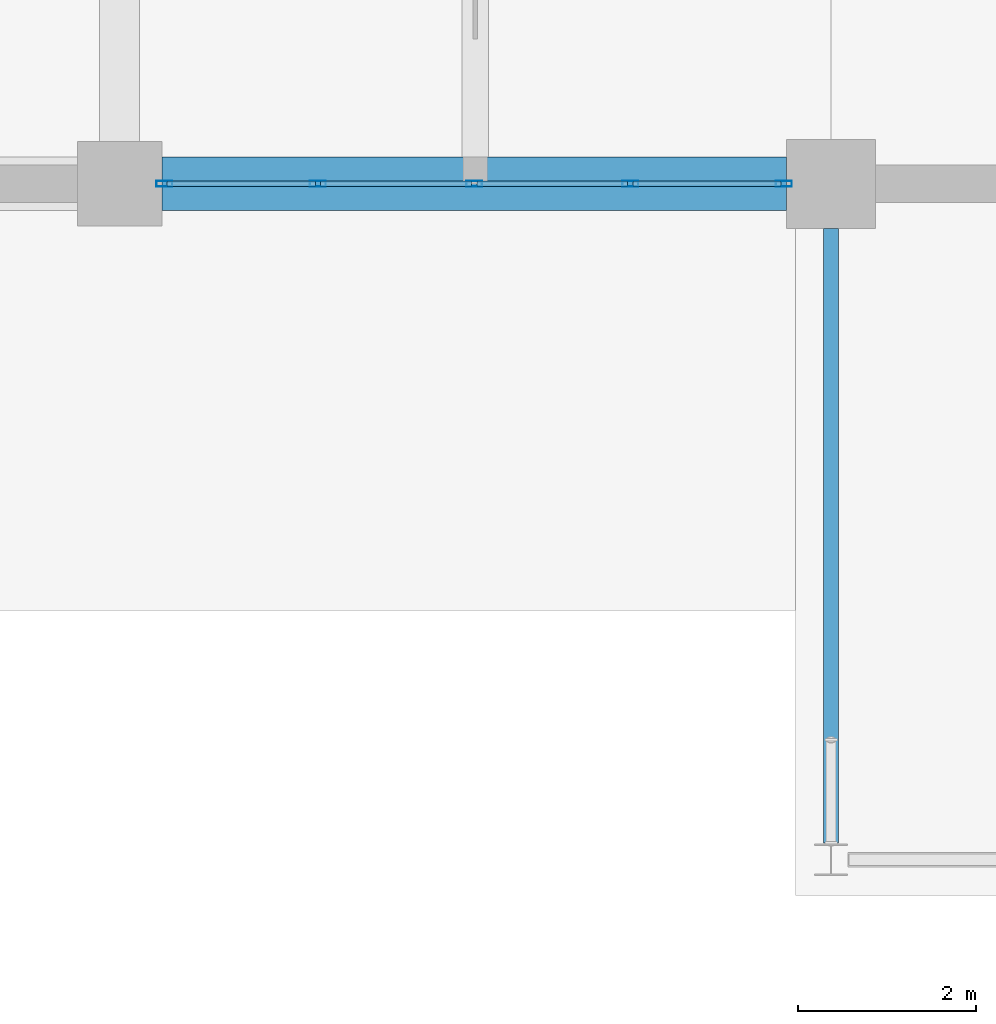
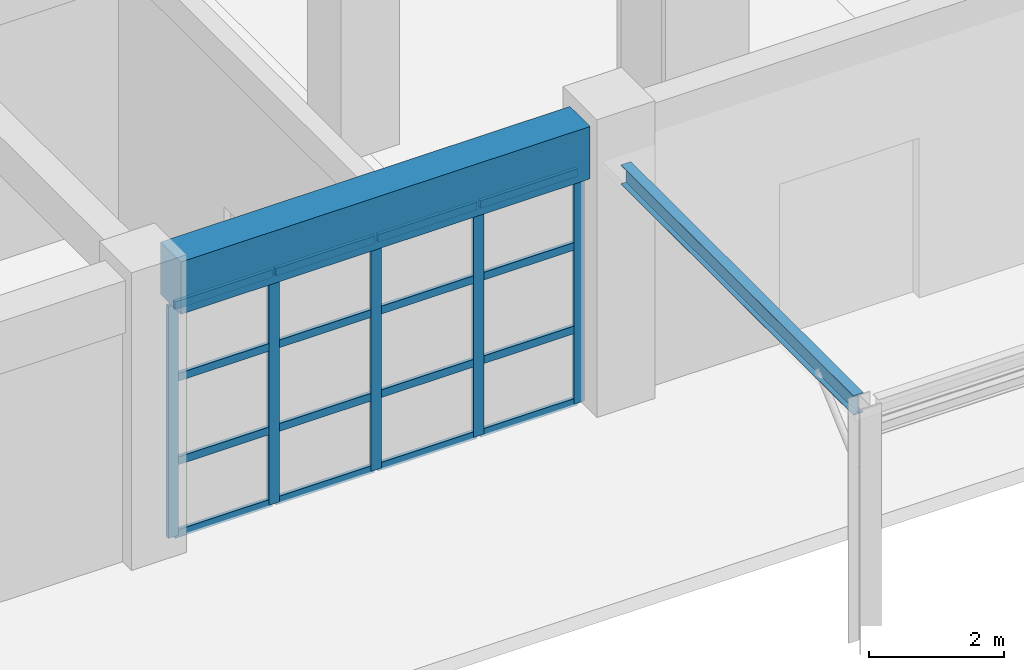
# One storey, part 29 of 95: 21 members, 2 beams, 1 element without a shape of its own.
"""IFC4 building model written with IfcOpenShell, lengths in metres."""

from ifc_helpers import new_model, si_unit, direction, frame, origin, origin_2d, place, context, subcontext, project, spatial, rectangle, hollow_rectangle, i_section, extrude, material, material_profile, profile_set, type_object, element, aggregate, save


model = new_model("IFC4")

# Units and contexts
model_context = context("Model", 3, precision=1e-05, world=origin(), true_north=direction((0.0, 1.0)))
body_context = subcontext(model_context, "Body", "Model", "MODEL_VIEW")
ifc_project = project(units=[si_unit("LENGTHUNIT", "METRE"), si_unit("AREAUNIT", "SQUARE_METRE"), si_unit("VOLUMEUNIT", "CUBIC_METRE"), si_unit("PLANEANGLEUNIT", "RADIAN"), si_unit("MASSUNIT", "GRAM", prefix="KILO")], contexts=[model_context])

# Site, building, storey
site_placement = place(None, origin())
site = spatial("IfcSite", under=ifc_project, at=site_placement, CompositionType="ELEMENT")
building_placement = place(site_placement, origin())
building = spatial("IfcBuilding", under=site, at=building_placement, Name="Zantavel Square City Hall", CompositionType="ELEMENT")
storey_placement = place(building_placement, origin())
storey = spatial("IfcBuildingStorey", under=building, at=storey_placement, Name="L01", CompositionType="ELEMENT", Elevation=0.0)

# Curtain wall, members
ifc_material_1 = material(Name="Anodised aluminium 6063-T6", Category="aluminium")
curtain_wall_type = type_object("IfcCurtainWallType", Name="Curtain Wall TRV1 7025x4210", PredefinedType="USERDEFINED", material=ifc_material_1)
curtain_wall_placement = place(storey_placement, origin())
curtain_wall = element("IfcCurtainWall", 1, at=curtain_wall_placement, inside=storey, type_object=curtain_wall_type, Name="L01 Glazed Curtain Wall CW-L01-003", ObjectType="GLAZED CURTAIN WALL", PredefinedType="USERDEFINED")
ifc_material_profile_1 = material_profile(ifc_material_1, hollow_rectangle(XDim=0.06494140625, YDim=0.179931640625, WallThickness=0.00390625, at=origin_2d()), Name="ALU 65x180x4")
ifc_profile_set_1 = profile_set([ifc_material_profile_1], Name="Anodised aluminium 6063-T6")
member_type_1 = type_object("IfcMemberType", Name="CW Mullion ALU 65x180x4", PredefinedType="MULLION", material=ifc_profile_set_1)
member_1_placement = place(storey_placement, frame((71.469970703125, 30.39990234375, 0.0), z_axis=(0.0, 0.0, 1.0), x_axis=(0.0, -1.0, 0.0)))
member_1 = element("IfcMember", 2, at=member_1_placement, type_object=member_type_1, Name="CW-003 mullion 1", PredefinedType="MULLION", context=body_context, shape_type="SweptSolid", body=[
    extrude(hollow_rectangle(XDim=0.06494140625, YDim=0.179931640625, WallThickness=0.00390625, at=origin_2d()), origin(), (0.0, 0.0, 1.0), 4.2099609375),
])
member_2_placement = place(storey_placement, frame((69.74365234375, 30.39990234375, 0.0), z_axis=(0.0, 0.0, 1.0), x_axis=(0.0, -1.0, 0.0)))
member_2 = element("IfcMember", 3, at=member_2_placement, type_object=member_type_1, Name="CW-003 mullion 2", PredefinedType="MULLION", context=body_context, shape_type="SweptSolid", body=[
    extrude(hollow_rectangle(XDim=0.06494140625, YDim=0.179931640625, WallThickness=0.00390625, at=origin_2d()), origin(), (0.0, 0.0, 1.0), 4.2099609375),
])
member_3_placement = place(storey_placement, frame((67.987548828125, 30.39990234375, 0.0), z_axis=(0.0, 0.0, 1.0), x_axis=(0.0, -1.0, 0.0)))
member_3 = element("IfcMember", 4, at=member_3_placement, type_object=member_type_1, Name="CW-003 mullion 3", PredefinedType="MULLION", context=body_context, shape_type="SweptSolid", body=[
    extrude(hollow_rectangle(XDim=0.06494140625, YDim=0.179931640625, WallThickness=0.00390625, at=origin_2d()), origin(), (0.0, 0.0, 1.0), 4.2099609375),
])
member_4_placement = place(storey_placement, frame((66.231201171875, 30.39990234375, 0.0), z_axis=(0.0, 0.0, 1.0), x_axis=(0.0, -1.0, 0.0)))
member_4 = element("IfcMember", 5, at=member_4_placement, type_object=member_type_1, Name="CW-003 mullion 4", PredefinedType="MULLION", context=body_context, shape_type="SweptSolid", body=[
    extrude(hollow_rectangle(XDim=0.06494140625, YDim=0.179931640625, WallThickness=0.00390625, at=origin_2d()), origin(), (0.0, 0.0, 1.0), 4.2099609375),
])
member_5_placement = place(storey_placement, frame((64.5048828125, 30.39990234375, 0.0), z_axis=(0.0, 0.0, 1.0), x_axis=(0.0, -1.0, 0.0)))
member_5 = element("IfcMember", 6, at=member_5_placement, type_object=member_type_1, Name="CW-003 mullion 5", PredefinedType="MULLION", context=body_context, shape_type="SweptSolid", body=[
    extrude(hollow_rectangle(XDim=0.06494140625, YDim=0.179931640625, WallThickness=0.00390625, at=origin_2d()), origin(), (0.0, 0.0, 1.0), 4.2099609375),
])
ifc_material_profile_2 = material_profile(ifc_material_1, hollow_rectangle(XDim=0.06005859375, YDim=0.139892578125, WallThickness=0.00390625, at=origin_2d()), Name="ALU 60x140x4")
ifc_profile_set_2 = profile_set([ifc_material_profile_2], Name="Anodised aluminium 6063-T6")
member_type_2 = type_object("IfcMemberType", Name="CW Transom ALU 60x140x4", PredefinedType="USERDEFINED", material=ifc_profile_set_2)
member_6_placement = place(storey_placement, frame((71.43994140625, 30.39990234375, 0.030029296875), z_axis=(-1.0, 0.0, 0.0), x_axis=(0.0, -1.0, 0.0)))
member_6 = element("IfcMember", 7, at=member_6_placement, type_object=member_type_2, Name="CW-003 transom 1.1", ObjectType="TRANSOM", PredefinedType="USERDEFINED", context=body_context, shape_type="SweptSolid", body=[
    extrude(hollow_rectangle(XDim=0.06005859375, YDim=0.139892578125, WallThickness=0.00390625, at=origin_2d()), origin(), (0.0, 0.0, 1.0), 1.666259765625),
])
member_7_placement = place(storey_placement, frame((71.43994140625, 30.39990234375, 1.346923828125), z_axis=(-1.0, 0.0, 0.0), x_axis=(0.0, -1.0, 0.0)))
member_7 = element("IfcMember", 8, at=member_7_placement, type_object=member_type_2, Name="CW-003 transom 1.2", ObjectType="TRANSOM", PredefinedType="USERDEFINED", context=body_context, shape_type="SweptSolid", body=[
    extrude(hollow_rectangle(XDim=0.06005859375, YDim=0.139892578125, WallThickness=0.00390625, at=origin_2d()), origin(), (0.0, 0.0, 1.0), 1.666259765625),
])
member_8_placement = place(storey_placement, frame((71.43994140625, 30.39990234375, 2.863037109375), z_axis=(-1.0, 0.0, 0.0), x_axis=(0.0, -1.0, 0.0)))
member_8 = element("IfcMember", 9, at=member_8_placement, type_object=member_type_2, Name="CW-003 transom 1.3", ObjectType="TRANSOM", PredefinedType="USERDEFINED", context=body_context, shape_type="SweptSolid", body=[
    extrude(hollow_rectangle(XDim=0.06005859375, YDim=0.139892578125, WallThickness=0.00390625, at=origin_2d()), origin(), (0.0, 0.0, 1.0), 1.666259765625),
])
member_9_placement = place(storey_placement, frame((71.43994140625, 30.39990234375, 4.179931640625), z_axis=(-1.0, 0.0, 0.0), x_axis=(0.0, -1.0, 0.0)))
member_9 = element("IfcMember", 10, at=member_9_placement, type_object=member_type_2, Name="CW-003 transom 1.4", ObjectType="TRANSOM", PredefinedType="USERDEFINED", context=body_context, shape_type="SweptSolid", body=[
    extrude(hollow_rectangle(XDim=0.06005859375, YDim=0.139892578125, WallThickness=0.00390625, at=origin_2d()), origin(), (0.0, 0.0, 1.0), 1.666259765625),
])
member_10_placement = place(storey_placement, frame((69.7138671875, 30.39990234375, 0.030029296875), z_axis=(-1.0, 0.0, 0.0), x_axis=(0.0, -1.0, 0.0)))
member_10 = element("IfcMember", 11, at=member_10_placement, type_object=member_type_2, Name="CW-003 transom 2.1", ObjectType="TRANSOM", PredefinedType="USERDEFINED", context=body_context, shape_type="SweptSolid", body=[
    extrude(hollow_rectangle(XDim=0.06005859375, YDim=0.139892578125, WallThickness=0.00390625, at=origin_2d()), origin(), (0.0, 0.0, 1.0), 1.6962890625),
])
member_11_placement = place(storey_placement, frame((69.7138671875, 30.39990234375, 1.346923828125), z_axis=(-1.0, 0.0, 0.0), x_axis=(0.0, -1.0, 0.0)))
member_11 = element("IfcMember", 12, at=member_11_placement, type_object=member_type_2, Name="CW-003 transom 2.2", ObjectType="TRANSOM", PredefinedType="USERDEFINED", context=body_context, shape_type="SweptSolid", body=[
    extrude(hollow_rectangle(XDim=0.06005859375, YDim=0.139892578125, WallThickness=0.00390625, at=origin_2d()), origin(), (0.0, 0.0, 1.0), 1.6962890625),
])
member_12_placement = place(storey_placement, frame((69.7138671875, 30.39990234375, 2.863037109375), z_axis=(-1.0, 0.0, 0.0), x_axis=(0.0, -1.0, 0.0)))
member_12 = element("IfcMember", 13, at=member_12_placement, type_object=member_type_2, Name="CW-003 transom 2.3", ObjectType="TRANSOM", PredefinedType="USERDEFINED", context=body_context, shape_type="SweptSolid", body=[
    extrude(hollow_rectangle(XDim=0.06005859375, YDim=0.139892578125, WallThickness=0.00390625, at=origin_2d()), origin(), (0.0, 0.0, 1.0), 1.6962890625),
])
member_13_placement = place(storey_placement, frame((69.7138671875, 30.39990234375, 4.179931640625), z_axis=(-1.0, 0.0, 0.0), x_axis=(0.0, -1.0, 0.0)))
member_13 = element("IfcMember", 14, at=member_13_placement, type_object=member_type_2, Name="CW-003 transom 2.4", ObjectType="TRANSOM", PredefinedType="USERDEFINED", context=body_context, shape_type="SweptSolid", body=[
    extrude(hollow_rectangle(XDim=0.06005859375, YDim=0.139892578125, WallThickness=0.00390625, at=origin_2d()), origin(), (0.0, 0.0, 1.0), 1.6962890625),
])
member_14_placement = place(storey_placement, frame((67.95751953125, 30.39990234375, 0.030029296875), z_axis=(-1.0, 0.0, 0.0), x_axis=(0.0, -1.0, 0.0)))
member_14 = element("IfcMember", 15, at=member_14_placement, type_object=member_type_2, Name="CW-003 transom 3.1", ObjectType="TRANSOM", PredefinedType="USERDEFINED", context=body_context, shape_type="SweptSolid", body=[
    extrude(hollow_rectangle(XDim=0.06005859375, YDim=0.139892578125, WallThickness=0.00390625, at=origin_2d()), origin(), (0.0, 0.0, 1.0), 1.6962890625),
])
member_15_placement = place(storey_placement, frame((67.95751953125, 30.39990234375, 1.346923828125), z_axis=(-1.0, 0.0, 0.0), x_axis=(0.0, -1.0, 0.0)))
member_15 = element("IfcMember", 16, at=member_15_placement, type_object=member_type_2, Name="CW-003 transom 3.2", ObjectType="TRANSOM", PredefinedType="USERDEFINED", context=body_context, shape_type="SweptSolid", body=[
    extrude(hollow_rectangle(XDim=0.06005859375, YDim=0.139892578125, WallThickness=0.00390625, at=origin_2d()), origin(), (0.0, 0.0, 1.0), 1.6962890625),
])
member_16_placement = place(storey_placement, frame((67.95751953125, 30.39990234375, 2.863037109375), z_axis=(-1.0, 0.0, 0.0), x_axis=(0.0, -1.0, 0.0)))
member_16 = element("IfcMember", 17, at=member_16_placement, type_object=member_type_2, Name="CW-003 transom 3.3", ObjectType="TRANSOM", PredefinedType="USERDEFINED", context=body_context, shape_type="SweptSolid", body=[
    extrude(hollow_rectangle(XDim=0.06005859375, YDim=0.139892578125, WallThickness=0.00390625, at=origin_2d()), origin(), (0.0, 0.0, 1.0), 1.6962890625),
])
member_17_placement = place(storey_placement, frame((67.95751953125, 30.39990234375, 4.179931640625), z_axis=(-1.0, 0.0, 0.0), x_axis=(0.0, -1.0, 0.0)))
member_17 = element("IfcMember", 18, at=member_17_placement, type_object=member_type_2, Name="CW-003 transom 3.4", ObjectType="TRANSOM", PredefinedType="USERDEFINED", context=body_context, shape_type="SweptSolid", body=[
    extrude(hollow_rectangle(XDim=0.06005859375, YDim=0.139892578125, WallThickness=0.00390625, at=origin_2d()), origin(), (0.0, 0.0, 1.0), 1.6962890625),
])
member_18_placement = place(storey_placement, frame((66.201171875, 30.39990234375, 0.030029296875), z_axis=(-1.0, 0.0, 0.0), x_axis=(0.0, -1.0, 0.0)))
member_18 = element("IfcMember", 19, at=member_18_placement, type_object=member_type_2, Name="CW-003 transom 4.1", ObjectType="TRANSOM", PredefinedType="USERDEFINED", context=body_context, shape_type="SweptSolid", body=[
    extrude(hollow_rectangle(XDim=0.06005859375, YDim=0.139892578125, WallThickness=0.00390625, at=origin_2d()), origin(), (0.0, 0.0, 1.0), 1.666259765625),
])
member_19_placement = place(storey_placement, frame((66.201171875, 30.39990234375, 1.346923828125), z_axis=(-1.0, 0.0, 0.0), x_axis=(0.0, -1.0, 0.0)))
member_19 = element("IfcMember", 20, at=member_19_placement, type_object=member_type_2, Name="CW-003 transom 4.2", ObjectType="TRANSOM", PredefinedType="USERDEFINED", context=body_context, shape_type="SweptSolid", body=[
    extrude(hollow_rectangle(XDim=0.06005859375, YDim=0.139892578125, WallThickness=0.00390625, at=origin_2d()), origin(), (0.0, 0.0, 1.0), 1.666259765625),
])
member_20_placement = place(storey_placement, frame((66.201171875, 30.39990234375, 2.863037109375), z_axis=(-1.0, 0.0, 0.0), x_axis=(0.0, -1.0, 0.0)))
member_20 = element("IfcMember", 21, at=member_20_placement, type_object=member_type_2, Name="CW-003 transom 4.3", ObjectType="TRANSOM", PredefinedType="USERDEFINED", context=body_context, shape_type="SweptSolid", body=[
    extrude(hollow_rectangle(XDim=0.06005859375, YDim=0.139892578125, WallThickness=0.00390625, at=origin_2d()), origin(), (0.0, 0.0, 1.0), 1.666259765625),
])
member_21_placement = place(storey_placement, frame((66.201171875, 30.39990234375, 4.179931640625), z_axis=(-1.0, 0.0, 0.0), x_axis=(0.0, -1.0, 0.0)))
member_21 = element("IfcMember", 22, at=member_21_placement, type_object=member_type_2, Name="CW-003 transom 4.4", ObjectType="TRANSOM", PredefinedType="USERDEFINED", context=body_context, shape_type="SweptSolid", body=[
    extrude(hollow_rectangle(XDim=0.06005859375, YDim=0.139892578125, WallThickness=0.00390625, at=origin_2d()), origin(), (0.0, 0.0, 1.0), 1.666259765625),
])
aggregate(curtain_wall, [member_1, member_2, member_3, member_4, member_5, member_6, member_7, member_8, member_9, member_10, member_11, member_12, member_13, member_14, member_15, member_16, member_17, member_18, member_19, member_20, member_21])

# Beams
ifc_material_2 = material(Name="Steel ASTM A992 Grade 50", Category="steel")
ifc_material_profile_3 = material_profile(ifc_material_2, i_section(OverallWidth=0.1708984375, OverallDepth=0.35498046875, WebThickness=0.007080078125, FlangeThickness=0.01171875, at=origin_2d()), Name="W360x51")
ifc_profile_set_3 = profile_set([ifc_material_profile_3], Name="Steel ASTM A992 Grade 50")
beam_type_1 = type_object("IfcBeamType", Name="Canopy Main Girder W360x51", PredefinedType="BEAM", material=ifc_profile_set_3)
beam_1_placement = place(storey_placement, frame((72.0, 22.989990234375, 4.262451171875), z_axis=(0.0, 1.0, 0.0), x_axis=(-1.0, 0.0, 0.0)))
element("IfcBeam", 23, at=beam_1_placement, inside=storey, type_object=beam_type_1, Name="Canopy Girder NS 72", PredefinedType="BEAM", context=body_context, shape_type="SweptSolid", body=[
    extrude(i_section(OverallWidth=0.1708984375, OverallDepth=0.35498046875, WebThickness=0.007080078125, FlangeThickness=0.01171875, at=origin_2d()), origin(), (0.0, 0.0, 1.0), 6.909912109375),
])
ifc_material_3 = material(Name="Concrete C40/50", Category="concrete")
ifc_material_profile_4 = material_profile(ifc_material_3, rectangle(XDim=0.60009765625, YDim=0.949951171875, at=origin_2d()), Name="RC 600x950")
ifc_profile_set_4 = profile_set([ifc_material_profile_4], Name="Concrete C40/50")
beam_type_2 = type_object("IfcBeamType", Name="Plaza Portico Edge Girder RC 600x950 C40/50", PredefinedType="BEAM", material=ifc_profile_set_4)
beam_2_placement = place(storey_placement, frame((64.47509765625, 30.39990234375, 4.68505859375), z_axis=(1.0, 0.0, 0.0), x_axis=(0.0, 1.0, 0.0)))
element("IfcBeam", 24, at=beam_2_placement, inside=storey, type_object=beam_type_2, Name="L01 Girder BMX-L01-0640-0304", PredefinedType="BEAM", context=body_context, shape_type="SweptSolid", body=[
    extrude(rectangle(XDim=0.60009765625, YDim=0.949951171875, at=origin_2d()), origin(), (0.0, 0.0, 1.0), 7.02490234375),
])

save(model, "model.ifc")
